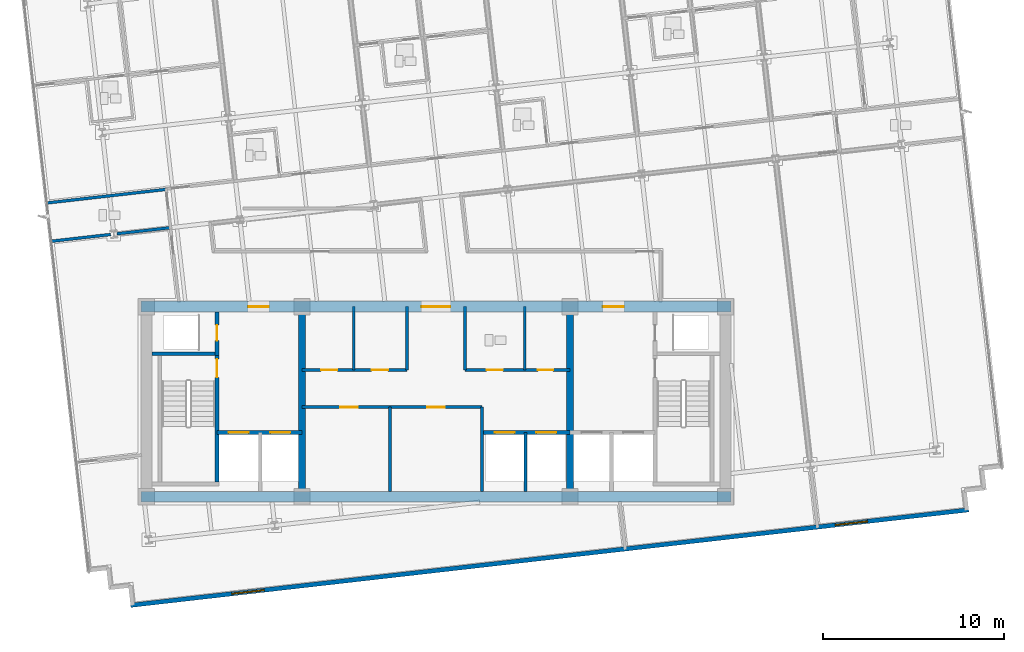
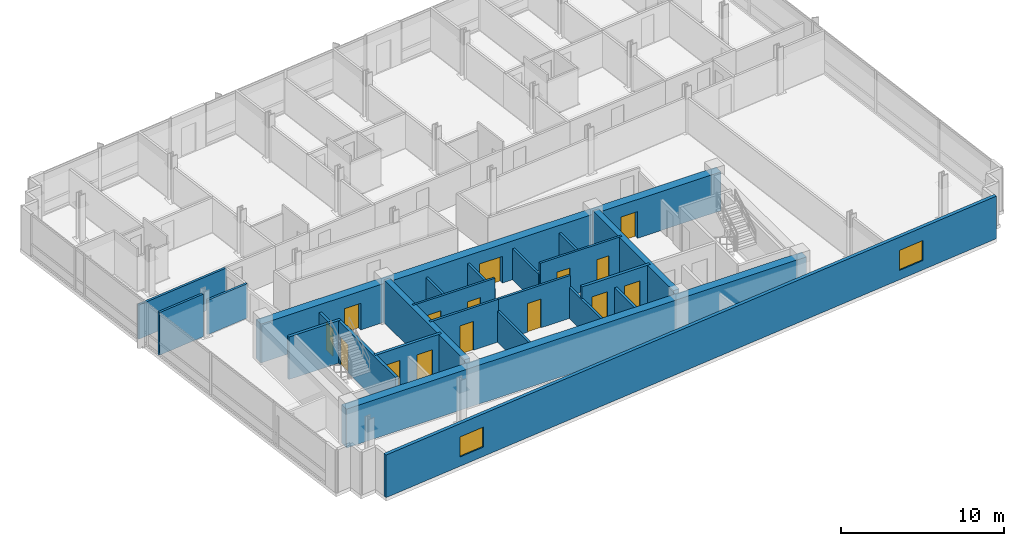
# One storey, part 8 of 17: 24 walls, 15 doors, 2 windows, 17 openings.
"""IFC4 building model written with IfcOpenShell, lengths in metres."""

import ifcopenshell
import ifcopenshell.guid

model = None  # the IFC model being written
_history = None  # IfcOwnerHistory: only IFC2X3 demands one
_inside = {}  # id of a spatial element -> (the spatial element, [elements in it])
_under = {}  # id of a project, library or spatial element -> (it, [spatial elements below it])
_declared = {}  # id of a project -> (the project, [libraries it declares])
_typed = {}  # id of a type object -> (the type object, [elements of that type])
_made_of = {}  # id of a material, layer set ... -> (it, [elements and type objects made of it])


def new_model(schema):
    """Start an empty IFC model of exactly this schema.

    Asked for "IFC4X3", IfcOpenShell would pick the latest addendum, in which some entities
    have other attributes; the version numbers below select the first issue.
    IFC2X3 requires an IfcOwnerHistory on every rooted entity: one is made here for all.
    """
    global model, _history
    if schema == "IFC4X3":
        model = ifcopenshell.file(schema_version=(4, 3, 0, 0))
    else:
        model = ifcopenshell.file(schema=schema)
    _inside.clear()
    _under.clear()
    _declared.clear()
    _typed.clear()
    _made_of.clear()
    _history = None
    if model.schema == "IFC2X3":
        org = make("IfcOrganization", Name="unknown")
        user = make(
            "IfcPersonAndOrganization",
            ThePerson=make("IfcPerson", FamilyName="unknown"),
            TheOrganization=org,
        )
        app = make(
            "IfcApplication",
            ApplicationDeveloper=org,
            Version="unknown",
            ApplicationFullName="unknown",
            ApplicationIdentifier="unknown",
        )
        _history = make(
            "IfcOwnerHistory",
            OwningUser=user,
            OwningApplication=app,
            ChangeAction="ADDED",
            CreationDate=0,
        )
    return model


def make(cls, **values):
    """One entity of the class cls with the attributes given. An attribute that is None is left unset."""
    return model.create_entity(
        cls, **{name: value for name, value in values.items() if value is not None}
    )


def rooted(cls, **values):
    """An entity with a GlobalId (a new one), such as an element, a storey or a relation."""
    return make(cls, GlobalId=ifcopenshell.guid.new(), OwnerHistory=_history, **values)


def si_unit(unit_type, name, prefix=None):
    """IfcSIUnit, for example si_unit("LENGTHUNIT", "METRE", prefix="MILLI")."""
    return make("IfcSIUnit", UnitType=unit_type, Prefix=prefix, Name=name)


def assignment(units):
    """IfcUnitAssignment: the units of a project."""
    return None if units is None else make("IfcUnitAssignment", Units=units)


def point(xyz):
    """IfcCartesianPoint."""
    return None if xyz is None else make("IfcCartesianPoint", Coordinates=xyz)


def direction(xyz):
    """IfcDirection."""
    return None if xyz is None else make("IfcDirection", DirectionRatios=xyz)


def frame(location, z_axis=None, x_axis=None):
    """IfcAxis2Placement3D, a coordinate frame: its origin and axes. An axis left out is left unset."""
    return make(
        "IfcAxis2Placement3D",
        Location=point(location),
        Axis=direction(z_axis),
        RefDirection=direction(x_axis),
    )


def frame_2d(location, x_axis=None):
    """IfcAxis2Placement2D, a coordinate frame in the plane: its origin and x axis."""
    return make(
        "IfcAxis2Placement2D", Location=point(location), RefDirection=direction(x_axis)
    )


def origin():
    """The frame at (0, 0, 0) with its axes left unset."""
    return frame((0.0, 0.0, 0.0))


def place(relative_to, where):
    """IfcLocalPlacement: puts the frame where relative to a parent placement (None: the world)."""
    return make(
        "IfcLocalPlacement", PlacementRelTo=relative_to, RelativePlacement=where
    )


def context(
    kind, dimensions, precision=None, world=None, true_north=None, identifier=None
):
    """IfcGeometricRepresentationContext, for example the 3D "Model" context."""
    return make(
        "IfcGeometricRepresentationContext",
        ContextIdentifier=identifier,
        ContextType=kind,
        CoordinateSpaceDimension=dimensions,
        Precision=precision,
        WorldCoordinateSystem=world,
        TrueNorth=true_north,
    )


def subcontext(parent, identifier, kind, view, scale=None):
    """IfcGeometricRepresentationSubContext, for example "Body" below "Model"."""
    return make(
        "IfcGeometricRepresentationSubContext",
        ContextIdentifier=identifier,
        ContextType=kind,
        ParentContext=parent,
        TargetScale=scale,
        TargetView=view,
    )


def project(units=None, contexts=None):
    """IfcProject with its units and contexts."""
    return rooted(
        "IfcProject",
        Name="project",
        RepresentationContexts=contexts,
        UnitsInContext=assignment(units),
    )


def spatial(cls, under=None, at=None, **own):
    """A site, building, storey or space (cls), placed at a placement, below another one or the project."""
    s = rooted(cls, ObjectPlacement=at, **own)
    if under is not None:
        _under.setdefault(under.id(), (under, []))[1].append(s)
    return s


def profile(cls, at=None, kind="AREA", **sizes):
    """A parametric profile (cls). Its sizes go by their IFC names, for example OverallWidth=200.0."""
    return make(cls, ProfileType=kind, Position=at, **sizes)


def rectangle(**sizes):
    """IfcRectangleProfileDef."""
    return profile("IfcRectangleProfileDef", **sizes)


def extrude(swept, where, along, depth):
    """IfcExtrudedAreaSolid: the profile swept, set in the frame where, extruded along a direction by depth."""
    return make(
        "IfcExtrudedAreaSolid",
        SweptArea=swept,
        Position=where,
        ExtrudedDirection=direction(along),
        Depth=depth,
    )


def shape(context_of_items, identifier, shape_type, items):
    """IfcShapeRepresentation: the items that make up one representation, for example the "Body"."""
    return make(
        "IfcShapeRepresentation",
        ContextOfItems=context_of_items,
        RepresentationIdentifier=identifier,
        RepresentationType=shape_type,
        Items=items,
    )


def material(Name=None, Category=None):
    """IfcMaterial."""
    return make("IfcMaterial", Name=Name, Category=Category)


def layer(
    of_material, thickness, ventilated=None, Name=None, Category=None, Priority=None
):
    """IfcMaterialLayer: one layer of a wall or slab, of a material (None: an air gap)."""
    return make(
        "IfcMaterialLayer",
        Material=of_material,
        LayerThickness=thickness,
        IsVentilated=ventilated,
        Name=Name,
        Category=Category,
        Priority=Priority,
    )


def layer_set(layers, Name=None):
    """IfcMaterialLayerSet."""
    return make("IfcMaterialLayerSet", MaterialLayers=layers, LayerSetName=Name)


def made_of(thing, what):
    """Note that an element or type object is made of a material, layer set ...; save() writes the relation."""
    if what is not None:
        _made_of.setdefault(what.id(), (what, []))[1].append(thing)
    return thing


def type_object(cls, material=None, **own):
    """A type object (cls), such as IfcWallType, which elements share."""
    return made_of(rooted(cls, **own), material)


def element(
    cls,
    number,
    at=None,
    inside=None,
    cuts=None,
    type_object=None,
    material=None,
    context=None,
    identifier="Body",
    shape_type=None,
    held_by="IfcProductDefinitionShape",
    body=None,
    shapes=None,
    **own,
):
    """One element of the class cls, such as IfcWall. Its Tag is "e" and its number.

    at: its placement. inside: the storey or other place that contains it. cuts: it is an
    opening in that element (IfcRelVoidsElement). A single representation is given by context,
    identifier, shape_type and body (its items); several are given by shapes. held_by: the class
    of the entity that holds the representations. save() writes the other relations.
    """
    e = rooted(cls, Tag="e%d" % number, ObjectPlacement=at, **own)
    if body is not None:
        shapes = [shape(context, identifier, shape_type, body)]
    if shapes is not None:
        e.Representation = make(held_by, Representations=shapes)
    if inside is not None:
        _inside.setdefault(inside.id(), (inside, []))[1].append(e)
    if cuts is not None:
        rooted(
            "IfcRelVoidsElement", RelatingBuildingElement=cuts, RelatedOpeningElement=e
        )
    if type_object is not None:
        _typed.setdefault(type_object.id(), (type_object, []))[1].append(e)
    return made_of(e, material)


def fill(opening, filler):
    """IfcRelFillsElement: the door or window that sits in an opening."""
    return rooted(
        "IfcRelFillsElement",
        RelatingOpeningElement=opening,
        RelatedBuildingElement=filler,
    )


def aggregate(whole, parts):
    """IfcRelAggregates: a whole, such as a stair, and the parts it consists of."""
    return rooted("IfcRelAggregates", RelatingObject=whole, RelatedObjects=parts)


def save(model, path):
    """Write the relations noted so far, then the file.

    IfcRelAggregates (storeys below a building ...), IfcRelContainedInSpatialStructure (elements
    in a storey), IfcRelDefinesByType, IfcRelAssociatesMaterial and IfcRelDeclares: one each for
    every whole, place, type object, material and project.
    """
    for whole, parts in _under.values():
        aggregate(whole, parts)
    for where, things in _inside.values():
        rooted(
            "IfcRelContainedInSpatialStructure",
            RelatedElements=things,
            RelatingStructure=where,
        )
    for kind, things in _typed.values():
        rooted("IfcRelDefinesByType", RelatedObjects=things, RelatingType=kind)
    for what, things in _made_of.values():
        rooted("IfcRelAssociatesMaterial", RelatedObjects=things, RelatingMaterial=what)
    for by, libraries in _declared.values():
        rooted("IfcRelDeclares", RelatingContext=by, RelatedDefinitions=libraries)
    model.write(path)


model = new_model("IFC4")

# Units and contexts
model_context = context("Model", 3, precision=1e-05, world=origin(), true_north=direction((0.0, 1.0)))
body_context = subcontext(model_context, "Body", "Model", "MODEL_VIEW")
ifc_project = project(units=[si_unit("LENGTHUNIT", "METRE"), si_unit("AREAUNIT", "SQUARE_METRE"), si_unit("VOLUMEUNIT", "CUBIC_METRE"), si_unit("PLANEANGLEUNIT", "RADIAN"), si_unit("MASSUNIT", "GRAM", prefix="KILO")], contexts=[model_context])

# Site, building, storey
site_placement = place(None, origin())
site = spatial("IfcSite", under=ifc_project, at=site_placement, CompositionType="ELEMENT")
building_placement = place(site_placement, origin())
building = spatial("IfcBuilding", under=site, at=building_placement, Name="Solmavex Isthmus Hotel", CompositionType="ELEMENT")
storey_placement = place(building_placement, frame((0.0, 0.0, 195.14990234375)))
storey = spatial("IfcBuildingStorey", under=building, at=storey_placement, Name="L52", CompositionType="ELEMENT", Elevation=195.14990234375)

# Wall, openings, windows
ifc_material_1 = material(Name="Precast Concrete C40/50", Category="concrete")
ifc_layer_1 = layer(ifc_material_1, 0.25)
ifc_layer_set_1 = layer_set([ifc_layer_1], Name="Precast Concrete C40/50")
wall_type_1 = type_object("IfcWallType", Name="EW-TWR-250", PredefinedType="STANDARD", material=ifc_layer_set_1)
wall_1_placement = place(storey_placement, frame((-16.86962890625, -18.99951171875, 0.0), z_axis=(0.0, 0.0, 1.0), x_axis=(0.993571588328, 0.113205560228, 0.0)))
wall_1 = element("IfcWall", 1, at=wall_1_placement, inside=storey, type_object=wall_type_1, Name="Tower Rear South Facade Wall L52", PredefinedType="STANDARD", context=body_context, shape_type="SweptSolid", body=[
    extrude(rectangle(XDim=46.60009765625, YDim=0.239990234375, at=frame_2d((23.300048828125, 0.0))), origin(), (0.0, 0.0, 1.0), 3.190185546875),
])
opening_1_placement = place(wall_1_placement, frame((5.6240234375, 0.0, 0.699951171875)))
opening_1 = element("IfcOpeningElement", 2, at=opening_1_placement, cuts=wall_1, Name="Opening WN-02", PredefinedType="OPENING", context=body_context, shape_type="SweptSolid", body=[
    extrude(rectangle(XDim=1.800048828125, YDim=1.5, at=frame_2d((0.89990234375, 0.75))), frame((0.0, 0.1298828125, 0.0), z_axis=(0.0, -1.0, 0.0), x_axis=(1.0, 0.0, 0.0)), (0.0, 0.0, 1.0), 0.260009765625),
])
opening_2_placement = place(wall_1_placement, frame((39.176025390625, 0.0, 0.699951171875)))
opening_2 = element("IfcOpeningElement", 3, at=opening_2_placement, cuts=wall_1, Name="Opening WN-02", PredefinedType="OPENING", context=body_context, shape_type="SweptSolid", body=[
    extrude(rectangle(XDim=1.800048828125, YDim=1.5, at=frame_2d((0.89990234375, 0.75))), frame((0.0, 0.1298828125, 0.0), z_axis=(0.0, -1.0, 0.0), x_axis=(1.0, 0.0, 0.0)), (0.0, 0.0, 1.0), 0.260009765625),
])
ifc_material_2 = material(Name="Clear low-E laminated glass", Category="glass")
window_type = type_object("IfcWindowType", Name="WIN-TWR-1800", PartitioningType="SINGLE_PANEL", PredefinedType="WINDOW", material=ifc_material_2)
window_1_placement = place(opening_1_placement, origin())
window_1 = element("IfcWindow", 4, at=window_1_placement, inside=storey, type_object=window_type, Name="South Facade Vision Window L52-S1", OverallHeight=1.5, OverallWidth=1.800048828125, PartitioningType="SINGLE_PANEL", PredefinedType="WINDOW", context=body_context, shape_type="SweptSolid", body=[
    extrude(rectangle(XDim=1.800048828125, YDim=1.5, at=frame_2d((0.89990234375, 0.75))), frame((0.0, 0.030029296875, 0.0), z_axis=(0.0, -1.0, 0.0), x_axis=(1.0, 0.0, 0.0)), (0.0, 0.0, 1.0), 0.06005859375),
])
fill(opening_1, window_1)
window_2_placement = place(opening_2_placement, origin())
window_2 = element("IfcWindow", 5, at=window_2_placement, inside=storey, type_object=window_type, Name="South Facade Vision Window L52-S2", OverallHeight=1.5, OverallWidth=1.800048828125, PartitioningType="SINGLE_PANEL", PredefinedType="WINDOW", context=body_context, shape_type="SweptSolid", body=[
    extrude(rectangle(XDim=1.800048828125, YDim=1.5, at=frame_2d((0.89990234375, 0.75))), frame((0.0, 0.030029296875, 0.0), z_axis=(0.0, -1.0, 0.0), x_axis=(1.0, 0.0, 0.0)), (0.0, 0.0, 1.0), 0.06005859375),
])
fill(opening_2, window_2)

# Wall, opening, door
ifc_material_3 = material(Name="Gypsum plasterboard lining", Category="gypsum")
ifc_layer_2 = layer(ifc_material_3, 0.159912109375)
ifc_layer_set_2 = layer_set([ifc_layer_2], Name="Gypsum plasterboard lining")
wall_type_2 = type_object("IfcWallType", Name="IW-COMP-160", PredefinedType="PARTITIONING", material=ifc_layer_set_2)
wall_2_placement = place(storey_placement, frame((-7.39990234375, -8.050048828125, 0.0), z_axis=(0.0, 0.0, 1.0), x_axis=(1.0, 0.0, 0.0)))
wall_2 = element("IfcWall", 6, at=wall_2_placement, inside=storey, type_object=wall_type_2, Name="Interior Partition Wall W-L52-REC-PLL-N", PredefinedType="PARTITIONING", context=body_context, shape_type="SweptSolid", body=[
    extrude(rectangle(XDim=4.849853515625, YDim=0.159912109375, at=frame_2d((2.4248046875, 0.0))), origin(), (0.0, 0.0, 1.0), 3.190185546875),
])
opening_3_placement = place(wall_2_placement, frame((2.125, 0.0, 0.0)))
opening_3 = element("IfcOpeningElement", 7, at=opening_3_placement, cuts=wall_2, Name="Opening ID-C095", PredefinedType="OPENING", context=body_context, shape_type="SweptSolid", body=[
    extrude(rectangle(XDim=0.949951171875, YDim=2.14990234375, at=frame_2d((0.47509765625, 1.074951171875))), frame((0.0, 0.08984375, 0.0), z_axis=(0.0, -1.0, 0.0), x_axis=(1.0, 0.0, 0.0)), (0.0, 0.0, 1.0), 0.179931640625),
])
ifc_material_4 = material(Name="Hardwood timber", Category="wood")
door_type_1 = type_object("IfcDoorType", Name="IDR-FD60-0950", OperationType="NOTDEFINED", PredefinedType="DOOR", material=ifc_material_4)
door_1_placement = place(opening_3_placement, origin())
door_1 = element("IfcDoor", 8, at=door_1_placement, inside=storey, type_object=door_type_1, Name="Linen Reserve Door L52", OperationType="SINGLE_SWING_LEFT", OverallHeight=2.14990234375, OverallWidth=0.949951171875, PredefinedType="DOOR", context=body_context, shape_type="SweptSolid", body=[
    extrude(rectangle(XDim=0.949951171875, YDim=2.14990234375, at=frame_2d((0.47509765625, 1.074951171875))), frame((0.0, 0.02490234375, 0.0), z_axis=(0.0, -1.0, 0.0), x_axis=(1.0, 0.0, 0.0)), (0.0, 0.0, 1.0), 0.050048828125),
])
fill(opening_3, door_1)

# Wall
wall_3_placement = place(storey_placement, frame((-2.550048828125, -12.699951171875, 0.0), z_axis=(0.0, 0.0, 1.0), x_axis=(0.0, 1.0, 0.0)))
element("IfcWall", 9, at=wall_3_placement, inside=storey, type_object=wall_type_2, Name="Interior Partition Wall W-L52-REC-PLL-E", PredefinedType="PARTITIONING", context=body_context, shape_type="SweptSolid", body=[
    extrude(rectangle(XDim=4.64990234375, YDim=0.159912109375, at=frame_2d((2.324951171875, 0.0))), origin(), (0.0, 0.0, 1.0), 2.3251953125),
])

# Wall, opening, door
wall_4_placement = place(storey_placement, frame((-2.550048828125, -8.050048828125, 0.0), z_axis=(0.0, 0.0, 1.0), x_axis=(1.0, 0.0, 0.0)))
wall_4 = element("IfcWall", 10, at=wall_4_placement, inside=storey, type_object=wall_type_2, Name="Interior Partition Wall W-L52-REC-PLM-N", PredefinedType="PARTITIONING", context=body_context, shape_type="SweptSolid", body=[
    extrude(rectangle(XDim=5.10009765625, YDim=0.159912109375, at=frame_2d((2.550048828125, 0.0))), origin(), (0.0, 0.0, 1.0), 3.190185546875),
])
opening_4_placement = place(wall_4_placement, frame((2.074951171875, 0.0, 0.0)))
opening_4 = element("IfcOpeningElement", 11, at=opening_4_placement, cuts=wall_4, Name="Opening ID-C095", PredefinedType="OPENING", context=body_context, shape_type="SweptSolid", body=[
    extrude(rectangle(XDim=0.949951171875, YDim=2.14990234375, at=frame_2d((0.47509765625, 1.074951171875))), frame((0.0, 0.08984375, 0.0), z_axis=(0.0, -1.0, 0.0), x_axis=(1.0, 0.0, 0.0)), (0.0, 0.0, 1.0), 0.179931640625),
])
door_2_placement = place(opening_4_placement, origin())
door_2 = element("IfcDoor", 12, at=door_2_placement, inside=storey, type_object=door_type_1, Name="Butler Store Door L52", OperationType="SINGLE_SWING_RIGHT", OverallHeight=2.14990234375, OverallWidth=0.949951171875, PredefinedType="DOOR", context=body_context, shape_type="SweptSolid", body=[
    extrude(rectangle(XDim=0.949951171875, YDim=2.14990234375, at=frame_2d((0.47509765625, 1.074951171875))), frame((0.0, 0.02490234375, 0.0), z_axis=(0.0, -1.0, 0.0), x_axis=(1.0, 0.0, 0.0)), (0.0, 0.0, 1.0), 0.050048828125),
])
fill(opening_4, door_2)

# Walls
wall_5_placement = place(storey_placement, frame((2.550048828125, -12.699951171875, 0.0), z_axis=(0.0, 0.0, 1.0), x_axis=(0.0, 1.0, 0.0)))
element("IfcWall", 13, at=wall_5_placement, inside=storey, type_object=wall_type_2, Name="Interior Partition Wall W-L52-REC-PLM-E", PredefinedType="PARTITIONING", context=body_context, shape_type="SweptSolid", body=[
    extrude(rectangle(XDim=4.64990234375, YDim=0.159912109375, at=frame_2d((2.324951171875, 0.0))), origin(), (0.0, 0.0, 1.0), 2.3251953125),
])
wall_6_placement = place(storey_placement, frame((-14.86865234375, 3.98486328125, 0.0), z_axis=(0.0, 0.0, 1.0), x_axis=(-0.993568743641, -0.113230524415, 0.0)))
element("IfcWall", 14, at=wall_6_placement, inside=storey, type_object=wall_type_2, Name="Interior Partition Wall W-L52-P032", PredefinedType="PARTITIONING", context=body_context, shape_type="SweptSolid", body=[
    extrude(rectangle(XDim=6.7099609375, YDim=0.159912109375, at=frame_2d((3.35498046875, 0.0))), origin(), (0.0, 0.0, 1.0), 2.5576171875),
])
wall_7_placement = place(storey_placement, frame((-17.97216796875, 1.4873046875, 0.0), z_axis=(0.0, 0.0, 1.0), x_axis=(-0.993575433752, -0.113171804991, 0.0)))
element("IfcWall", 15, at=wall_7_placement, inside=storey, type_object=wall_type_2, Name="Interior Partition Wall W-L52-P080", PredefinedType="PARTITIONING", context=body_context, shape_type="SweptSolid", body=[
    extrude(rectangle(XDim=3.34375, YDim=0.159912109375, at=frame_2d((1.671875, 0.0))), origin(), (0.0, 0.0, 1.0), 3.190185546875),
])
wall_8_placement = place(storey_placement, frame((-14.62744140625, 1.868408203125, 0.0), z_axis=(0.0, 0.0, 1.0), x_axis=(-0.993574646464, -0.113178716659, 0.0)))
element("IfcWall", 16, at=wall_8_placement, inside=storey, type_object=wall_type_2, Name="Interior Partition Wall W-L52-P081", PredefinedType="PARTITIONING", context=body_context, shape_type="SweptSolid", body=[
    extrude(rectangle(XDim=3.013427734375, YDim=0.159912109375, at=frame_2d((1.5068359375, 0.0))), origin(), (0.0, 0.0, 1.0), 2.572509765625),
])

# Wall, openings, doors
ifc_layer_3 = layer(ifc_material_3, 0.14990234375)
ifc_layer_set_3 = layer_set([ifc_layer_3], Name="Gypsum plasterboard lining")
wall_type_3 = type_object("IfcWallType", Name="IW-CORR-150", PredefinedType="PARTITIONING", material=ifc_layer_set_3)
wall_9_placement = place(storey_placement, frame((-7.39990234375, -6.0, 0.0), z_axis=(0.0, 0.0, 1.0), x_axis=(1.0, 0.0, 0.0)))
wall_9 = element("IfcWall", 17, at=wall_9_placement, inside=storey, type_object=wall_type_3, Name="Interior Partition Wall W-L52-BOH-WS", PredefinedType="PARTITIONING", context=body_context, shape_type="SweptSolid", body=[
    extrude(rectangle(XDim=5.7998046875, YDim=0.14990234375, at=frame_2d((2.89990234375, 0.0))), origin(), (0.0, 0.0, 1.0), 3.190185546875),
])
opening_5_placement = place(wall_9_placement, frame((1.050048828125, 0.0, 0.0)))
opening_5 = element("IfcOpeningElement", 18, at=opening_5_placement, cuts=wall_9, Name="Opening ID-C090", PredefinedType="OPENING", context=body_context, shape_type="SweptSolid", body=[
    extrude(rectangle(XDim=0.89990234375, YDim=2.10009765625, at=frame_2d((0.449951171875, 1.050048828125))), frame((0.0, 0.0849609375, 0.0), z_axis=(0.0, -1.0, 0.0), x_axis=(1.0, 0.0, 0.0)), (0.0, 0.0, 1.0), 0.169921875),
])
opening_6_placement = place(wall_9_placement, frame((3.85009765625, 0.0, 0.0)))
opening_6 = element("IfcOpeningElement", 19, at=opening_6_placement, cuts=wall_9, Name="Opening ID-C090", PredefinedType="OPENING", context=body_context, shape_type="SweptSolid", body=[
    extrude(rectangle(XDim=0.89990234375, YDim=2.10009765625, at=frame_2d((0.449951171875, 1.050048828125))), frame((0.0, 0.0849609375, 0.0), z_axis=(0.0, -1.0, 0.0), x_axis=(1.0, 0.0, 0.0)), (0.0, 0.0, 1.0), 0.169921875),
])
door_type_2 = type_object("IfcDoorType", Name="IDR-FD60-0900", OperationType="NOTDEFINED", PredefinedType="DOOR", material=ifc_material_4)
door_3_placement = place(opening_5_placement, frame((0.89990234375, 0.0, 0.0), z_axis=(0.0, 0.0, 1.0), x_axis=(-1.0, 0.0, 0.0)))
door_3 = element("IfcDoor", 20, at=door_3_placement, inside=storey, type_object=door_type_2, Name="Linen Room Door L52", OperationType="SINGLE_SWING_LEFT", OverallHeight=2.10009765625, OverallWidth=0.89990234375, PredefinedType="DOOR", context=body_context, shape_type="SweptSolid", body=[
    extrude(rectangle(XDim=0.89990234375, YDim=2.10009765625, at=frame_2d((0.449951171875, 1.050048828125))), frame((0.0, 0.02490234375, 0.0), z_axis=(0.0, -1.0, 0.0), x_axis=(1.0, 0.0, 0.0)), (0.0, 0.0, 1.0), 0.050048828125),
])
fill(opening_5, door_3)
door_4_placement = place(opening_6_placement, frame((0.89990234375, 0.0, 0.0), z_axis=(0.0, 0.0, 1.0), x_axis=(-1.0, 0.0, 0.0)))
door_4 = element("IfcDoor", 21, at=door_4_placement, inside=storey, type_object=door_type_2, Name="Ice Pantry Door L52", OperationType="SINGLE_SWING_RIGHT", OverallHeight=2.10009765625, OverallWidth=0.89990234375, PredefinedType="DOOR", context=body_context, shape_type="SweptSolid", body=[
    extrude(rectangle(XDim=0.89990234375, YDim=2.10009765625, at=frame_2d((0.449951171875, 1.050048828125))), frame((0.0, 0.02490234375, 0.0), z_axis=(0.0, -1.0, 0.0), x_axis=(1.0, 0.0, 0.0)), (0.0, 0.0, 1.0), 0.050048828125),
])
fill(opening_6, door_4)

# Wall
wall_10_placement = place(storey_placement, frame((-1.60009765625, -6.0, 0.0), z_axis=(0.0, 0.0, 1.0), x_axis=(0.0, 1.0, 0.0)))
element("IfcWall", 22, at=wall_10_placement, inside=storey, type_object=wall_type_3, Name="Interior Partition Wall W-L52-BOH-WE", PredefinedType="PARTITIONING", context=body_context, shape_type="SweptSolid", body=[
    extrude(rectangle(XDim=3.5, YDim=0.14990234375, at=frame_2d((1.75, 0.0))), origin(), (0.0, 0.0, 1.0), 2.3251953125),
])

# Wall, openings, doors
wall_11_placement = place(storey_placement, frame((1.60009765625, -6.0, 0.0), z_axis=(0.0, 0.0, 1.0), x_axis=(1.0, 0.0, 0.0)))
wall_11 = element("IfcWall", 23, at=wall_11_placement, inside=storey, type_object=wall_type_3, Name="Interior Partition Wall W-L52-BOH-ES", PredefinedType="PARTITIONING", context=body_context, shape_type="SweptSolid", body=[
    extrude(rectangle(XDim=5.7998046875, YDim=0.14990234375, at=frame_2d((2.89990234375, 0.0))), origin(), (0.0, 0.0, 1.0), 3.190185546875),
])
opening_7_placement = place(wall_11_placement, frame((1.199951171875, 0.0, 0.0)))
opening_7 = element("IfcOpeningElement", 24, at=opening_7_placement, cuts=wall_11, Name="Opening ID-C090", PredefinedType="OPENING", context=body_context, shape_type="SweptSolid", body=[
    extrude(rectangle(XDim=0.89990234375, YDim=2.10009765625, at=frame_2d((0.449951171875, 1.050048828125))), frame((0.0, 0.0849609375, 0.0), z_axis=(0.0, -1.0, 0.0), x_axis=(1.0, 0.0, 0.0)), (0.0, 0.0, 1.0), 0.169921875),
])
opening_8_placement = place(wall_11_placement, frame((4.02490234375, 0.0, 0.0)))
opening_8 = element("IfcOpeningElement", 25, at=opening_8_placement, cuts=wall_11, Name="Opening ID-R085", PredefinedType="OPENING", context=body_context, shape_type="SweptSolid", body=[
    extrude(rectangle(XDim=0.85009765625, YDim=2.050048828125, at=frame_2d((0.425048828125, 1.02490234375))), frame((0.0, 0.0849609375, 0.0), z_axis=(0.0, -1.0, 0.0), x_axis=(1.0, 0.0, 0.0)), (0.0, 0.0, 1.0), 0.169921875),
])
ifc_material_5 = material(Name="Steel ASTM A500 Grade C", Category="steel")
door_type_3 = type_object("IfcDoorType", Name="IDR-FD60-0850", OperationType="NOTDEFINED", PredefinedType="DOOR", material=ifc_material_5)
door_5_placement = place(opening_8_placement, frame((0.85009765625, 0.0, 0.0), z_axis=(0.0, 0.0, 1.0), x_axis=(-1.0, 0.0, 0.0)))
door_5 = element("IfcDoor", 26, at=door_5_placement, inside=storey, type_object=door_type_3, Name="IT Room Door L52", OperationType="SINGLE_SWING_RIGHT", OverallHeight=2.050048828125, OverallWidth=0.85009765625, PredefinedType="DOOR", context=body_context, shape_type="SweptSolid", body=[
    extrude(rectangle(XDim=0.85009765625, YDim=2.050048828125, at=frame_2d((0.425048828125, 1.02490234375))), frame((0.0, 0.02490234375, 0.0), z_axis=(0.0, -1.0, 0.0), x_axis=(1.0, 0.0, 0.0)), (0.0, 0.0, 1.0), 0.050048828125),
])
fill(opening_8, door_5)
door_6_placement = place(opening_7_placement, frame((0.89990234375, 0.0, 0.0), z_axis=(0.0, 0.0, 1.0), x_axis=(-1.0, 0.0, 0.0)))
door_6 = element("IfcDoor", 27, at=door_6_placement, inside=storey, type_object=door_type_2, Name="Staff Restroom Door L52", OperationType="SINGLE_SWING_LEFT", OverallHeight=2.10009765625, OverallWidth=0.89990234375, PredefinedType="DOOR", context=body_context, shape_type="SweptSolid", body=[
    extrude(rectangle(XDim=0.89990234375, YDim=2.10009765625, at=frame_2d((0.449951171875, 1.050048828125))), frame((0.0, 0.02490234375, 0.0), z_axis=(0.0, -1.0, 0.0), x_axis=(1.0, 0.0, 0.0)), (0.0, 0.0, 1.0), 0.050048828125),
])
fill(opening_7, door_6)

# Walls
wall_12_placement = place(storey_placement, frame((1.60009765625, -6.0, 0.0), z_axis=(0.0, 0.0, 1.0), x_axis=(0.0, 1.0, 0.0)))
element("IfcWall", 28, at=wall_12_placement, inside=storey, type_object=wall_type_3, Name="Interior Partition Wall W-L52-BOH-EW", PredefinedType="PARTITIONING", context=body_context, shape_type="SweptSolid", body=[
    extrude(rectangle(XDim=3.5, YDim=0.14990234375, at=frame_2d((1.75, 0.0))), origin(), (0.0, 0.0, 1.0), 2.3251953125),
])
ifc_layer_4 = layer(ifc_material_3, 0.1201171875)
ifc_layer_set_4 = layer_set([ifc_layer_4], Name="Gypsum plasterboard lining")
wall_type_4 = type_object("IfcWallType", Name="IW-PART-120", PredefinedType="PARTITIONING", material=ifc_layer_set_4)
for number, where, z_axis, x_axis, name in (
    (29, (-4.550048828125, -6.0, 0.0), (0.0, 0.0, 1.0), (0.0, 1.0, 0.0), "Interior Partition Wall W-L52-BOH-WM2"),
    (30, (4.89990234375, -6.0, 0.0), (0.0, 0.0, 1.0), (0.0, 1.0, 0.0), "Interior Partition Wall W-L52-BOH-EM2"),
):
    element("IfcWall", number, at=place(storey_placement, frame(where, z_axis=z_axis, x_axis=x_axis)), inside=storey, type_object=wall_type_4, Name=name, PredefinedType="PARTITIONING", context=body_context, shape_type="SweptSolid", body=[
        extrude(rectangle(XDim=3.5, YDim=0.14990234375, at=frame_2d((1.75, 0.0))), origin(), (0.0, 0.0, 1.0), 2.3251953125),
    ])
ifc_material_6 = material(Name="Concrete C40/50", Category="concrete")
ifc_layer_5 = layer(ifc_material_6, 0.179931640625)
ifc_layer_set_5 = layer_set([ifc_layer_5], Name="Concrete C40/50")
wall_type_5 = type_object("IfcWallType", Name="IW-SHAFT-180", PredefinedType="PARTITIONING", material=ifc_layer_set_5)
wall_13_placement = place(storey_placement, frame((4.949951171875, -12.699951171875, 0.0), z_axis=(0.0, 0.0, 1.0), x_axis=(0.0, 1.0, 0.0)))
element("IfcWall", 31, at=wall_13_placement, inside=storey, type_object=wall_type_5, Name="Interior Partition Wall W-L52-SH-PLH-M", PredefinedType="PARTITIONING", context=body_context, shape_type="SweptSolid", body=[
    extrude(rectangle(XDim=3.25, YDim=0.179931640625, at=frame_2d((1.625, 0.0))), origin(), (0.0, 0.0, 1.0), 2.3251953125),
])

# Wall, opening, door
ifc_layer_6 = layer(ifc_material_6, 0.199951171875)
ifc_layer_set_6 = layer_set([ifc_layer_6], Name="Concrete C40/50")
wall_type_6 = type_object("IfcWallType", Name="IW-SHAFT-200", PredefinedType="PARTITIONING", material=ifc_layer_set_6)
wall_14_placement = place(storey_placement, frame((-12.10009765625, -5.199951171875, 0.0), z_axis=(0.0, 0.0, 1.0), x_axis=(0.0, 1.0, 0.0)))
wall_14 = element("IfcWall", 32, at=wall_14_placement, inside=storey, type_object=wall_type_6, Name="Interior Partition Wall W-L52-RSW-E", PredefinedType="PARTITIONING", context=body_context, shape_type="SweptSolid", body=[
    extrude(rectangle(XDim=2.39990234375, YDim=0.199951171875, at=frame_2d((1.199951171875, 0.0))), origin(), (0.0, 0.0, 1.0), 2.3251953125),
])
opening_9_placement = place(wall_14_placement, frame((0.824951171875, 0.0, 0.0)))
opening_9 = element("IfcOpeningElement", 33, at=opening_9_placement, cuts=wall_14, Name="Opening ID-R085", PredefinedType="OPENING", context=body_context, shape_type="SweptSolid", body=[
    extrude(rectangle(XDim=0.85009765625, YDim=2.050048828125, at=frame_2d((0.425048828125, 1.02490234375))), frame((0.0, 0.10986328125, 0.0), z_axis=(0.0, -1.0, 0.0), x_axis=(1.0, 0.0, 0.0)), (0.0, 0.0, 1.0), 0.219970703125),
])
door_7_placement = place(opening_9_placement, origin())
door_7 = element("IfcDoor", 34, at=door_7_placement, inside=storey, type_object=door_type_3, Name="Electrical Riser Door L52", OperationType="SINGLE_SWING_RIGHT", OverallHeight=2.050048828125, OverallWidth=0.85009765625, PredefinedType="DOOR", context=body_context, shape_type="SweptSolid", body=[
    extrude(rectangle(XDim=0.85009765625, YDim=2.050048828125, at=frame_2d((0.425048828125, 1.02490234375))), frame((0.0, 0.02490234375, 0.0), z_axis=(0.0, -1.0, 0.0), x_axis=(1.0, 0.0, 0.0)), (0.0, 0.0, 1.0), 0.050048828125),
])
fill(opening_9, door_7)

# Wall, openings, doors
wall_15_placement = place(storey_placement, frame((-12.10009765625, -9.449951171875, 0.0), z_axis=(0.0, 0.0, 1.0), x_axis=(1.0, 0.0, 0.0)))
wall_15 = element("IfcWall", 35, at=wall_15_placement, inside=storey, type_object=wall_type_6, Name="Interior Partition Wall W-L52-FFLW-S", PredefinedType="PARTITIONING", context=body_context, shape_type="SweptSolid", body=[
    extrude(rectangle(XDim=4.7001953125, YDim=0.199951171875, at=frame_2d((2.35009765625, 0.0))), origin(), (0.0, 0.0, 1.0), 3.190185546875),
])
opening_10_placement = place(wall_15_placement, frame((0.64990234375, 0.0, 0.0)))
opening_10 = element("IfcOpeningElement", 36, at=opening_10_placement, cuts=wall_15, Name="Opening LD-FF", PredefinedType="OPENING", context=body_context, shape_type="SweptSolid", body=[
    extrude(rectangle(XDim=1.10009765625, YDim=2.199951171875, at=frame_2d((0.550048828125, 1.10009765625))), frame((0.0, 0.10986328125, 0.0), z_axis=(0.0, -1.0, 0.0), x_axis=(1.0, 0.0, 0.0)), (0.0, 0.0, 1.0), 0.219970703125),
])
opening_11_placement = place(wall_15_placement, frame((2.949951171875, 0.0, 0.0)))
opening_11 = element("IfcOpeningElement", 37, at=opening_11_placement, cuts=wall_15, Name="Opening LD-SV", PredefinedType="OPENING", context=body_context, shape_type="SweptSolid", body=[
    extrude(rectangle(XDim=1.10009765625, YDim=2.199951171875, at=frame_2d((0.550048828125, 1.10009765625))), frame((0.0, 0.10986328125, 0.0), z_axis=(0.0, -1.0, 0.0), x_axis=(1.0, 0.0, 0.0)), (0.0, 0.0, 1.0), 0.219970703125),
])
ifc_material_7 = material(Name="Stainless steel 316", Category="steel")
door_type_4 = type_object("IfcDoorType", Name="LDR-FF-1100", OperationType="NOTDEFINED", PredefinedType="DOOR", material=ifc_material_7)
door_8_placement = place(opening_10_placement, origin())
door_8 = element("IfcDoor", 38, at=door_8_placement, inside=storey, type_object=door_type_4, Name="Lift Landing Door FFL-1 L52", OperationType="SLIDING_TO_LEFT", OverallHeight=2.199951171875, OverallWidth=1.10009765625, PredefinedType="DOOR", context=body_context, shape_type="SweptSolid", body=[
    extrude(rectangle(XDim=1.10009765625, YDim=2.199951171875, at=frame_2d((0.550048828125, 1.10009765625))), frame((0.0, 0.02490234375, 0.0), z_axis=(0.0, -1.0, 0.0), x_axis=(1.0, 0.0, 0.0)), (0.0, 0.0, 1.0), 0.050048828125),
])
fill(opening_10, door_8)
door_type_5 = type_object("IfcDoorType", Name="LDR-SV-1100", OperationType="NOTDEFINED", PredefinedType="DOOR", material=ifc_material_7)
door_9_placement = place(opening_11_placement, origin())
door_9 = element("IfcDoor", 39, at=door_9_placement, inside=storey, type_object=door_type_5, Name="Lift Landing Door SVL-1 L52", OperationType="SLIDING_TO_RIGHT", OverallHeight=2.199951171875, OverallWidth=1.10009765625, PredefinedType="DOOR", context=body_context, shape_type="SweptSolid", body=[
    extrude(rectangle(XDim=1.10009765625, YDim=2.199951171875, at=frame_2d((0.550048828125, 1.10009765625))), frame((0.0, 0.02490234375, 0.0), z_axis=(0.0, -1.0, 0.0), x_axis=(1.0, 0.0, 0.0)), (0.0, 0.0, 1.0), 0.050048828125),
])
fill(opening_11, door_9)

wall_16_placement = place(storey_placement, frame((2.550048828125, -9.449951171875, 0.0), z_axis=(0.0, 0.0, 1.0), x_axis=(1.0, 0.0, 0.0)))
wall_16 = element("IfcWall", 40, at=wall_16_placement, inside=storey, type_object=wall_type_6, Name="Interior Partition Wall W-L52-SH-PLH", PredefinedType="PARTITIONING", context=body_context, shape_type="SweptSolid", body=[
    extrude(rectangle(XDim=4.849853515625, YDim=0.199951171875, at=frame_2d((2.4248046875, 0.0))), origin(), (0.0, 0.0, 1.0), 3.190185546875),
])
opening_12_placement = place(wall_16_placement, frame((0.699951171875, 0.0, 0.0)))
opening_12 = element("IfcOpeningElement", 41, at=opening_12_placement, cuts=wall_16, Name="Opening LD-PL", PredefinedType="OPENING", context=body_context, shape_type="SweptSolid", body=[
    extrude(rectangle(XDim=1.10009765625, YDim=2.199951171875, at=frame_2d((0.550048828125, 1.10009765625))), frame((0.0, 0.10986328125, 0.0), z_axis=(0.0, -1.0, 0.0), x_axis=(1.0, 0.0, 0.0)), (0.0, 0.0, 1.0), 0.219970703125),
])
opening_13_placement = place(wall_16_placement, frame((3.0, 0.0, 0.0)))
opening_13 = element("IfcOpeningElement", 42, at=opening_13_placement, cuts=wall_16, Name="Opening LD-PL", PredefinedType="OPENING", context=body_context, shape_type="SweptSolid", body=[
    extrude(rectangle(XDim=1.10009765625, YDim=2.199951171875, at=frame_2d((0.550048828125, 1.10009765625))), frame((0.0, 0.10986328125, 0.0), z_axis=(0.0, -1.0, 0.0), x_axis=(1.0, 0.0, 0.0)), (0.0, 0.0, 1.0), 0.219970703125),
])
door_type_6 = type_object("IfcDoorType", Name="LDR-PL-1100", OperationType="NOTDEFINED", PredefinedType="DOOR", material=ifc_material_7)
door_10_placement = place(opening_12_placement, origin())
door_10 = element("IfcDoor", 43, at=door_10_placement, inside=storey, type_object=door_type_6, Name="Lift Landing Door PLH1 L52", OperationType="SLIDING_TO_LEFT", OverallHeight=2.199951171875, OverallWidth=1.10009765625, PredefinedType="DOOR", context=body_context, shape_type="SweptSolid", body=[
    extrude(rectangle(XDim=1.10009765625, YDim=2.199951171875, at=frame_2d((0.550048828125, 1.10009765625))), frame((0.0, 0.02490234375, 0.0), z_axis=(0.0, -1.0, 0.0), x_axis=(1.0, 0.0, 0.0)), (0.0, 0.0, 1.0), 0.050048828125),
])
fill(opening_12, door_10)
door_11_placement = place(opening_13_placement, origin())
door_11 = element("IfcDoor", 44, at=door_11_placement, inside=storey, type_object=door_type_6, Name="Lift Landing Door PLH2 L52", OperationType="SLIDING_TO_LEFT", OverallHeight=2.199951171875, OverallWidth=1.10009765625, PredefinedType="DOOR", context=body_context, shape_type="SweptSolid", body=[
    extrude(rectangle(XDim=1.10009765625, YDim=2.199951171875, at=frame_2d((0.550048828125, 1.10009765625))), frame((0.0, 0.02490234375, 0.0), z_axis=(0.0, -1.0, 0.0), x_axis=(1.0, 0.0, 0.0)), (0.0, 0.0, 1.0), 0.050048828125),
])
fill(opening_13, door_11)

# Walls
ifc_material_8 = material(Name="Concrete C50/60", Category="concrete")
ifc_layer_7 = layer(ifc_material_8, 0.39990234375)
ifc_layer_set_7 = layer_set([ifc_layer_7], Name="Concrete C50/60")
wall_type_7 = type_object("IfcWallType", Name="WALL-CW-400H", PredefinedType="SHEAR", material=ifc_layer_set_7)
for number, where, z_axis, x_axis, name in (
    (45, (-7.39990234375, -12.699951171875, 0.0), (0.0, 0.0, 1.0), (0.0, 1.0, 0.0), "Core Cross Shear Wall C1 L52"),
    (46, (7.39990234375, -12.699951171875, 0.0), (0.0, 0.0, 1.0), (0.0, 1.0, 0.0), "Core Cross Shear Wall C2 L52"),
):
    element("IfcWall", number, at=place(storey_placement, frame(where, z_axis=z_axis, x_axis=x_axis)), inside=storey, type_object=wall_type_7, Name=name, PredefinedType="SHEAR", context=body_context, shape_type="SweptSolid", body=[
        extrude(rectangle(XDim=9.89990234375, YDim=0.39990234375, at=frame_2d((4.949951171875, 0.0))), origin(), (0.0, 0.0, 1.0), 3.190185546875),
    ])
ifc_layer_8 = layer(ifc_material_8, 0.60009765625)
ifc_layer_set_8 = layer_set([ifc_layer_8], Name="Concrete C50/60")
wall_type_8 = type_object("IfcWallType", Name="WALL-CW-600", PredefinedType="SHEAR", material=ifc_layer_set_8)
wall_17_placement = place(storey_placement, frame((-16.300048828125, -13.0, 0.0), z_axis=(0.0, 0.0, 1.0), x_axis=(1.0, 0.0, 0.0)))
element("IfcWall", 47, at=wall_17_placement, inside=storey, type_object=wall_type_8, Name="Core Shear Wall South L52", PredefinedType="SHEAR", context=body_context, shape_type="SweptSolid", body=[
    extrude(rectangle(XDim=32.60009765625, YDim=0.60009765625, at=frame_2d((16.300048828125, 0.0))), origin(), (0.0, 0.0, 1.0), 2.91015625),
])

# Wall, openings, doors
wall_18_placement = place(storey_placement, frame((-16.300048828125, -2.5, 0.0), z_axis=(0.0, 0.0, 1.0), x_axis=(1.0, 0.0, 0.0)))
wall_18 = element("IfcWall", 48, at=wall_18_placement, inside=storey, type_object=wall_type_8, Name="Core Shear Wall North L52", PredefinedType="SHEAR", context=body_context, shape_type="SweptSolid", body=[
    extrude(rectangle(XDim=32.60009765625, YDim=0.60009765625, at=frame_2d((16.300048828125, 0.0))), origin(), (0.0, 0.0, 1.0), 2.91015625),
])
opening_14_placement = place(wall_18_placement, frame((5.925048828125, 0.0, 0.0)))
opening_14 = element("IfcOpeningElement", 49, at=opening_14_placement, cuts=wall_18, Name="Opening ID-F915", PredefinedType="OPENING", context=body_context, shape_type="SweptSolid", body=[
    extrude(rectangle(XDim=1.14990234375, YDim=2.0, at=frame_2d((0.574951171875, 1.0))), frame((0.0, 0.31005859375, 0.0), z_axis=(0.0, -1.0, 0.0), x_axis=(1.0, 0.0, 0.0)), (0.0, 0.0, 1.0), 0.6201171875),
])
opening_15_placement = place(wall_18_placement, frame((15.5, 0.0, 0.0)))
opening_15 = element("IfcOpeningElement", 50, at=opening_15_placement, cuts=wall_18, Name="Opening ID-F960", PredefinedType="OPENING", context=body_context, shape_type="SweptSolid", body=[
    extrude(rectangle(XDim=1.60009765625, YDim=2.0, at=frame_2d((0.800048828125, 1.0))), frame((0.0, 0.31005859375, 0.0), z_axis=(0.0, -1.0, 0.0), x_axis=(1.0, 0.0, 0.0)), (0.0, 0.0, 1.0), 0.6201171875),
])
opening_16_placement = place(wall_18_placement, frame((25.52490234375, 0.0, 0.0)))
opening_16 = element("IfcOpeningElement", 51, at=opening_16_placement, cuts=wall_18, Name="Opening ID-F915", PredefinedType="OPENING", context=body_context, shape_type="SweptSolid", body=[
    extrude(rectangle(XDim=1.14990234375, YDim=2.0, at=frame_2d((0.574951171875, 1.0))), frame((0.0, 0.31005859375, 0.0), z_axis=(0.0, -1.0, 0.0), x_axis=(1.0, 0.0, 0.0)), (0.0, 0.0, 1.0), 0.6201171875),
])
door_type_7 = type_object("IfcDoorType", Name="IDR-FD90-1150C", OperationType="NOTDEFINED", PredefinedType="DOOR", material=ifc_material_5)
door_12_placement = place(opening_14_placement, origin())
door_12 = element("IfcDoor", 52, at=door_12_placement, inside=storey, type_object=door_type_7, Name="Firefighting Lobby West Exit Door L52", OperationType="SINGLE_SWING_LEFT", OverallHeight=2.0, OverallWidth=1.14990234375, PredefinedType="DOOR", context=body_context, shape_type="SweptSolid", body=[
    extrude(rectangle(XDim=1.14990234375, YDim=2.0, at=frame_2d((0.574951171875, 1.0))), frame((0.0, 0.02490234375, 0.0), z_axis=(0.0, -1.0, 0.0), x_axis=(1.0, 0.0, 0.0)), (0.0, 0.0, 1.0), 0.050048828125),
])
fill(opening_14, door_12)
door_13_placement = place(opening_16_placement, origin())
door_13 = element("IfcDoor", 53, at=door_13_placement, inside=storey, type_object=door_type_7, Name="Firefighting Lobby East Exit Door L52", OperationType="SINGLE_SWING_RIGHT", OverallHeight=2.0, OverallWidth=1.14990234375, PredefinedType="DOOR", context=body_context, shape_type="SweptSolid", body=[
    extrude(rectangle(XDim=1.14990234375, YDim=2.0, at=frame_2d((0.574951171875, 1.0))), frame((0.0, 0.02490234375, 0.0), z_axis=(0.0, -1.0, 0.0), x_axis=(1.0, 0.0, 0.0)), (0.0, 0.0, 1.0), 0.050048828125),
])
fill(opening_16, door_13)
door_type_8 = type_object("IfcDoorType", Name="IDR-FD90-1600C", OperationType="NOTDEFINED", PredefinedType="DOOR", material=ifc_material_5)
door_14_placement = place(opening_15_placement, origin())
door_14 = element("IfcDoor", 54, at=door_14_placement, inside=storey, type_object=door_type_8, Name="Central Lift Lobby Door L52", OperationType="DOUBLE_DOOR_SINGLE_SWING", OverallHeight=2.0, OverallWidth=1.60009765625, PredefinedType="DOOR", context=body_context, shape_type="SweptSolid", body=[
    extrude(rectangle(XDim=1.60009765625, YDim=2.0, at=frame_2d((0.800048828125, 1.0))), frame((0.0, 0.02490234375, 0.0), z_axis=(0.0, -1.0, 0.0), x_axis=(1.0, 0.0, 0.0)), (0.0, 0.0, 1.0), 0.050048828125),
])
fill(opening_15, door_14)

# Wall
ifc_layer_9 = layer(ifc_material_6, 0.199951171875)
ifc_layer_set_9 = layer_set([ifc_layer_9], Name="Concrete C40/50")
wall_type_9 = type_object("IfcWallType", Name="WALL-SW-200", PredefinedType="SOLIDWALL", material=ifc_layer_set_9)
wall_19_placement = place(storey_placement, frame((-15.699951171875, -5.10009765625, 0.0), z_axis=(0.0, 0.0, 1.0), x_axis=(1.0, 0.0, 0.0)))
element("IfcWall", 55, at=wall_19_placement, inside=storey, type_object=wall_type_9, Name="Stairwell Structural Wall SW-L52-ST1-N", PredefinedType="SOLIDWALL", context=body_context, shape_type="SweptSolid", body=[
    extrude(rectangle(XDim=3.699951171875, YDim=0.199951171875, at=frame_2d((1.85009765625, 0.0))), origin(), (0.0, 0.0, 1.0), 3.190185546875),
])

# Wall, opening, door
wall_20_placement = place(storey_placement, frame((-12.10009765625, -12.199951171875, 0.0), z_axis=(0.0, 0.0, 1.0), x_axis=(0.0, 1.0, 0.0)))
wall_20 = element("IfcWall", 56, at=wall_20_placement, inside=storey, type_object=wall_type_9, Name="Stairwell Structural Wall SW-L52-ST1-E", PredefinedType="SOLIDWALL", context=body_context, shape_type="SweptSolid", body=[
    extrude(rectangle(XDim=7.0, YDim=0.199951171875, at=frame_2d((3.5, 0.0))), origin(), (0.0, 0.0, 1.0), 3.190185546875),
])
opening_17_placement = place(wall_20_placement, frame((5.800048828125, 0.0, 0.0)))
opening_17 = element("IfcOpeningElement", 57, at=opening_17_placement, cuts=wall_20, Name="Opening ID-F100", PredefinedType="OPENING", context=body_context, shape_type="SweptSolid", body=[
    extrude(rectangle(XDim=1.0, YDim=2.10009765625, at=frame_2d((0.5, 1.050048828125))), frame((0.0, 0.10986328125, 0.0), z_axis=(0.0, -1.0, 0.0), x_axis=(1.0, 0.0, 0.0)), (0.0, 0.0, 1.0), 0.219970703125),
])
door_type_9 = type_object("IfcDoorType", Name="IDR-FD90-1000", OperationType="NOTDEFINED", PredefinedType="DOOR", material=ifc_material_5)
door_15_placement = place(opening_17_placement, frame((1.0, 0.0, 0.0), z_axis=(0.0, 0.0, 1.0), x_axis=(-1.0, 0.0, 0.0)))
door_15 = element("IfcDoor", 58, at=door_15_placement, inside=storey, type_object=door_type_9, Name="Stair ST-1 Fire Door L52", OperationType="SINGLE_SWING_LEFT", OverallHeight=2.10009765625, OverallWidth=1.0, PredefinedType="DOOR", context=body_context, shape_type="SweptSolid", body=[
    extrude(rectangle(XDim=1.0, YDim=2.10009765625, at=frame_2d((0.5, 1.050048828125))), frame((0.0, 0.02490234375, 0.0), z_axis=(0.0, -1.0, 0.0), x_axis=(1.0, 0.0, 0.0)), (0.0, 0.0, 1.0), 0.050048828125),
])
fill(opening_17, door_15)

save(model, "model.ifc")
